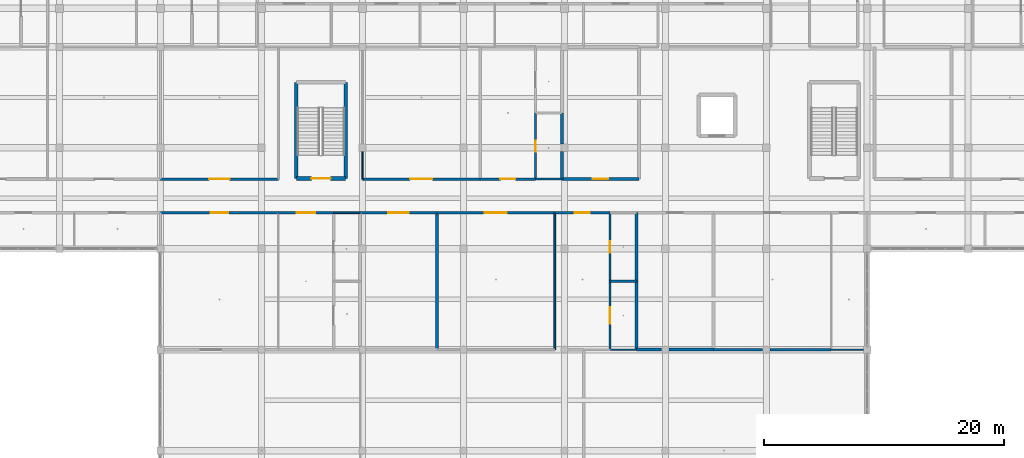
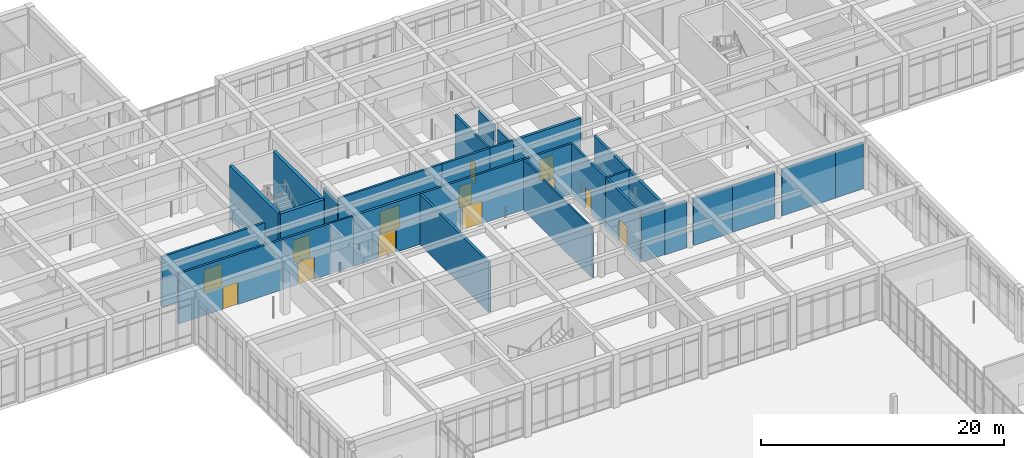
# One storey, part 85 of 157: 31 walls, 13 doors, 13 openings.
"""IFC4 building model written with IfcOpenShell, lengths in metres."""

from ifc_helpers import new_model, si_unit, direction, frame, frame_2d, origin, place, context, subcontext, project, spatial, rectangle, extrude, material, layer, layer_set, type_object, element, fill, save


model = new_model("IFC4")

# Units and contexts
model_context = context("Model", 3, precision=1e-05, world=origin(), true_north=direction((0.0, 1.0)))
body_context = subcontext(model_context, "Body", "Model", "MODEL_VIEW")
ifc_project = project(units=[si_unit("LENGTHUNIT", "METRE"), si_unit("AREAUNIT", "SQUARE_METRE"), si_unit("VOLUMEUNIT", "CUBIC_METRE"), si_unit("PLANEANGLEUNIT", "RADIAN"), si_unit("MASSUNIT", "GRAM", prefix="KILO")], contexts=[model_context])

# Site, building, storey
site_placement = place(None, origin())
site = spatial("IfcSite", under=ifc_project, at=site_placement, CompositionType="ELEMENT")
building_placement = place(site_placement, origin())
building = spatial("IfcBuilding", under=site, at=building_placement, Name="Varncliffe General Hospital", CompositionType="ELEMENT")
storey_placement = place(building_placement, frame((0.0, 0.0, 5.39990234375)))
storey = spatial("IfcBuildingStorey", under=building, at=storey_placement, Name="L01", CompositionType="ELEMENT", Elevation=5.39990234375)

# Walls
ifc_material_1 = material(Name="Acoustic clinical gypsum stud partition assembly", Category="gypsum")
ifc_layer_1 = layer(ifc_material_1, 0.169921875)
ifc_layer_set_1 = layer_set([ifc_layer_1], Name="Acoustic clinical gypsum stud partition assembly")
wall_type_1 = type_object("IfcWallType", Name="Interior Partitioning IW20 (170mm)", PredefinedType="PARTITIONING", material=ifc_layer_set_1)
wall_1_placement = place(storey_placement, frame((109.514892578125, 74.39990234375, 0.0), z_axis=(0.0, 0.0, 1.0), x_axis=(1.0, 0.0, 0.0)))
element("IfcWall", 1, at=wall_1_placement, inside=storey, type_object=wall_type_1, Name="L01 Interior Partition Wall IW20-495", PredefinedType="PARTITIONING", context=body_context, shape_type="SweptSolid", body=[
    extrude(rectangle(XDim=5.085205078125, YDim=0.169921875, at=frame_2d((2.54248046875, 0.0))), origin(), (0.0, 0.0, 1.0), 4.68505859375),
])
wall_2_placement = place(storey_placement, frame((104.800048828125, 74.39990234375, 0.0), z_axis=(0.0, 0.0, 1.0), x_axis=(1.0, 0.0, 0.0)))
element("IfcWall", 2, at=wall_2_placement, inside=storey, type_object=wall_type_1, Name="L01 Interior Partition Wall IW20-496", PredefinedType="PARTITIONING", context=body_context, shape_type="SweptSolid", body=[
    extrude(rectangle(XDim=4.0849609375, YDim=0.169921875, at=frame_2d((2.04248046875, 0.0))), origin(), (0.0, 0.0, 1.0), 4.68505859375),
])
ifc_layer_2 = layer(ifc_material_1, 0.14990234375)
ifc_layer_set_2 = layer_set([ifc_layer_2], Name="Acoustic clinical gypsum stud partition assembly")
wall_type_2 = type_object("IfcWallType", Name="Interior Partitioning IW35 (150mm)", PredefinedType="PARTITIONING", material=ifc_layer_set_2)
wall_3_placement = place(storey_placement, frame((91.60009765625, 74.39990234375, 0.0), z_axis=(0.0, 0.0, 1.0), x_axis=(0.0, 1.0, 0.0)))
element("IfcWall", 3, at=wall_3_placement, inside=storey, type_object=wall_type_2, Name="L01 Interior Partition Wall IW35-779", PredefinedType="PARTITIONING", context=body_context, shape_type="SweptSolid", body=[
    extrude(rectangle(XDim=11.400146484375, YDim=0.14990234375, at=frame_2d((5.7001953125, 0.0))), origin(), (0.0, 0.0, 1.0), 5.050048828125),
])
ifc_layer_3 = layer(ifc_material_1, 0.090087890625)
ifc_layer_set_3 = layer_set([ifc_layer_3], Name="Acoustic clinical gypsum stud partition assembly")
wall_type_3 = type_object("IfcWallType", Name="Interior Partitioning IW42 (90mm)", PredefinedType="PARTITIONING", material=ifc_layer_set_3)
wall_4_placement = place(storey_placement, frame((75.60009765625, 88.60009765625, 0.0), z_axis=(0.0, 0.0, 1.0), x_axis=(0.0, 1.0, 0.0)))
element("IfcWall", 4, at=wall_4_placement, inside=storey, type_object=wall_type_3, Name="L01 Interior Partition Wall IW42-772", PredefinedType="PARTITIONING", context=body_context, shape_type="SweptSolid", body=[
    extrude(rectangle(XDim=2.284912109375, YDim=0.090087890625, at=frame_2d((1.142578125, 0.0))), origin(), (0.0, 0.0, 1.0), 4.735107421875),
])
ifc_layer_4 = layer(ifc_material_1, 0.110107421875)
ifc_layer_set_4 = layer_set([ifc_layer_4], Name="Acoustic clinical gypsum stud partition assembly")
wall_type_4 = type_object("IfcWallType", Name="Interior Partitioning IW65 (110mm)", PredefinedType="PARTITIONING", material=ifc_layer_set_4)
wall_5_placement = place(storey_placement, frame((96.199951171875, 74.39990234375, 0.0), z_axis=(0.0, 0.0, 1.0), x_axis=(1.0, 0.0, 0.0)))
element("IfcWall", 5, at=wall_5_placement, inside=storey, type_object=wall_type_4, Name="L01 Interior Partition Wall IW65-492", PredefinedType="PARTITIONING", context=body_context, shape_type="SweptSolid", body=[
    extrude(rectangle(XDim=2.199951171875, YDim=0.110107421875, at=frame_2d((1.10009765625, 0.0))), origin(), (0.0, 0.0, 1.0), 4.68505859375),
])
wall_6_placement = place(storey_placement, frame((114.60009765625, 74.39990234375, 0.0), z_axis=(0.0, 0.0, 1.0), x_axis=(1.0, 0.0, 0.0)))
element("IfcWall", 6, at=wall_6_placement, inside=storey, type_object=wall_type_4, Name="L01 Interior Partition Wall IW65-497", PredefinedType="PARTITIONING", context=body_context, shape_type="SweptSolid", body=[
    extrude(rectangle(XDim=2.684814453125, YDim=0.110107421875, at=frame_2d((1.34228515625, 0.0))), origin(), (0.0, 0.0, 1.0), 4.68505859375),
])
ifc_material_2 = material(Name="Fire-rated gypsum and mineral-wool partition assembly", Category="gypsum")
ifc_layer_5 = layer(ifc_material_2, 0.25)
ifc_layer_set_5 = layer_set([ifc_layer_5], Name="Fire-rated gypsum and mineral-wool partition assembly")
wall_type_5 = type_object("IfcWallType", Name="Interior Partitioning PW38 (250mm)", PredefinedType="PARTITIONING", material=ifc_layer_set_5)
wall_7_placement = place(storey_placement, frame((101.114990234375, 74.39990234375, 0.0), z_axis=(0.0, 0.0, 1.0), x_axis=(1.0, 0.0, 0.0)))
element("IfcWall", 7, at=wall_7_placement, inside=storey, type_object=wall_type_5, Name="L01 Interior Partition Wall PW38-493", PredefinedType="PARTITIONING", context=body_context, shape_type="SweptSolid", body=[
    extrude(rectangle(XDim=3.68505859375, YDim=0.25, at=frame_2d((1.842529296875, 0.0))), origin(), (0.0, 0.0, 1.0), 4.68505859375),
])
wall_8_placement = place(storey_placement, frame((98.39990234375, 74.39990234375, 0.0), z_axis=(0.0, 0.0, 1.0), x_axis=(1.0, 0.0, 0.0)))
element("IfcWall", 8, at=wall_8_placement, inside=storey, type_object=wall_type_5, Name="L01 Interior Partition Wall PW38-494", PredefinedType="PARTITIONING", context=body_context, shape_type="SweptSolid", body=[
    extrude(rectangle(XDim=2.085205078125, YDim=0.25, at=frame_2d((1.04248046875, 0.0))), origin(), (0.0, 0.0, 1.0), 4.68505859375),
])

# Wall, opening, door
wall_9_placement = place(storey_placement, frame((92.199951171875, 88.60009765625, 0.0), z_axis=(0.0, 0.0, 1.0), x_axis=(1.0, 0.0, 0.0)))
wall_9 = element("IfcWall", 9, at=wall_9_placement, inside=storey, type_object=wall_type_5, Name="L01 Interior Partition Wall PW38-535", PredefinedType="PARTITIONING", context=body_context, shape_type="SweptSolid", body=[
    extrude(rectangle(XDim=6.400146484375, YDim=0.25, at=frame_2d((3.2001953125, 0.0))), origin(), (0.0, 0.0, 1.0), 5.050048828125),
])
opening_1_placement = place(wall_9_placement, frame((2.550048828125, 0.0, 0.0)))
opening_1 = element("IfcOpeningElement", 10, at=opening_1_placement, cuts=wall_9, Name="Opening DC88", PredefinedType="OPENING", context=body_context, shape_type="SweptSolid", body=[
    extrude(rectangle(XDim=1.300048828125, YDim=2.199951171875, at=frame_2d((0.64990234375, 1.10009765625))), frame((0.0, 0.135009765625, 0.0), z_axis=(0.0, -1.0, 0.0), x_axis=(1.0, 0.0, 0.0)), (0.0, 0.0, 1.0), 0.27001953125),
])
ifc_material_3 = material(Name="Fire-rated hospital steel-frame vision-panel door", Category="steel")
door_type_1 = type_object("IfcDoorType", Name="Interior Hospital Door DC88 (1300x2200)", OperationType="NOTDEFINED", PredefinedType="DOOR", material=ifc_material_3)
door_1_placement = place(opening_1_placement, origin())
door_1 = element("IfcDoor", 11, at=door_1_placement, inside=storey, type_object=door_type_1, Name="L01 Pharmacy Cold-Chain Stockroom 98 Door", OperationType="SINGLE_SWING_RIGHT", OverallHeight=2.199951171875, OverallWidth=1.300048828125, PredefinedType="DOOR", context=body_context, shape_type="SweptSolid", body=[
    extrude(rectangle(XDim=1.300048828125, YDim=2.199951171875, at=frame_2d((0.64990234375, 1.10009765625))), frame((0.0, 0.02490234375, 0.0), z_axis=(0.0, -1.0, 0.0), x_axis=(1.0, 0.0, 0.0)), (0.0, 0.0, 1.0), 0.050048828125),
])
fill(opening_1, door_1)

# Wall
wall_10_placement = place(storey_placement, frame((98.39990234375, 74.39990234375, 0.0), z_axis=(0.0, 0.0, 1.0), x_axis=(0.0, 1.0, 0.0)))
element("IfcWall", 12, at=wall_10_placement, inside=storey, type_object=wall_type_5, Name="L01 Interior Partition Wall PW38-787", PredefinedType="PARTITIONING", context=body_context, shape_type="SweptSolid", body=[
    extrude(rectangle(XDim=5.7001953125, YDim=0.25, at=frame_2d((2.85009765625, 0.0))), origin(), (0.0, 0.0, 1.0), 5.050048828125),
])

# Wall, opening, door
ifc_layer_6 = layer(ifc_material_2, 0.22998046875)
ifc_layer_set_6 = layer_set([ifc_layer_6], Name="Fire-rated gypsum and mineral-wool partition assembly")
wall_type_6 = type_object("IfcWallType", Name="Interior Partitioning PW48 (230mm)", PredefinedType="PARTITIONING", material=ifc_layer_set_6)
wall_11_placement = place(storey_placement, frame((75.39990234375, 85.800048828125, 0.0), z_axis=(0.0, 0.0, 1.0), x_axis=(1.0, 0.0, 0.0)))
wall_11 = element("IfcWall", 13, at=wall_11_placement, inside=storey, type_object=wall_type_6, Name="L01 Interior Partition Wall PW48-516", PredefinedType="PARTITIONING", context=body_context, shape_type="SweptSolid", body=[
    extrude(rectangle(XDim=6.400146484375, YDim=0.22998046875, at=frame_2d((3.2001953125, 0.0))), origin(), (0.0, 0.0, 1.0), 5.050048828125),
])
opening_2_placement = place(wall_11_placement, frame((2.35009765625, 0.0, 0.0)))
opening_2 = element("IfcOpeningElement", 14, at=opening_2_placement, cuts=wall_11, Name="Opening DC50", PredefinedType="OPENING", context=body_context, shape_type="SweptSolid", body=[
    extrude(rectangle(XDim=1.699951171875, YDim=2.300048828125, at=frame_2d((0.85009765625, 1.14990234375))), frame((0.0, 0.125, 0.0), z_axis=(0.0, -1.0, 0.0), x_axis=(1.0, 0.0, 0.0)), (0.0, 0.0, 1.0), 0.25),
])
door_type_2 = type_object("IfcDoorType", Name="Interior Hospital Door DC50 (1700x2300)", OperationType="NOTDEFINED", PredefinedType="DOOR", material=ifc_material_3)
door_2_placement = place(opening_2_placement, frame((1.699951171875, 0.0, 0.0), z_axis=(0.0, 0.0, 1.0), x_axis=(-1.0, 0.0, 0.0)))
door_2 = element("IfcDoor", 15, at=door_2_placement, inside=storey, type_object=door_type_2, Name="L01 Pharmacy Cold-Chain Stockroom 81 Door", OperationType="SINGLE_SWING_LEFT", OverallHeight=2.300048828125, OverallWidth=1.699951171875, PredefinedType="DOOR", context=body_context, shape_type="SweptSolid", body=[
    extrude(rectangle(XDim=1.699951171875, YDim=2.300048828125, at=frame_2d((0.85009765625, 1.14990234375))), frame((0.0, 0.02490234375, 0.0), z_axis=(0.0, -1.0, 0.0), x_axis=(1.0, 0.0, 0.0)), (0.0, 0.0, 1.0), 0.050048828125),
])
fill(opening_2, door_2)

# Walls
wall_12_placement = place(storey_placement, frame((81.800048828125, 74.39990234375, 0.0), z_axis=(0.0, 0.0, 1.0), x_axis=(0.0, 1.0, 0.0)))
element("IfcWall", 16, at=wall_12_placement, inside=storey, type_object=wall_type_6, Name="L01 Interior Partition Wall PW48-774", PredefinedType="PARTITIONING", context=body_context, shape_type="SweptSolid", body=[
    extrude(rectangle(XDim=11.400146484375, YDim=0.22998046875, at=frame_2d((5.7001953125, 0.0))), origin(), (0.0, 0.0, 1.0), 5.050048828125),
])
wall_13_placement = place(storey_placement, frame((92.199951171875, 91.514892578125, 0.0), z_axis=(0.0, 0.0, 1.0), x_axis=(0.0, 1.0, 0.0)))
element("IfcWall", 17, at=wall_13_placement, inside=storey, type_object=wall_type_6, Name="L01 Interior Partition Wall PW48-780", PredefinedType="PARTITIONING", context=body_context, shape_type="SweptSolid", body=[
    extrude(rectangle(XDim=2.585205078125, YDim=0.22998046875, at=frame_2d((1.29248046875, 0.0))), origin(), (0.0, 0.0, 1.0), 4.735107421875),
])
wall_14_placement = place(storey_placement, frame((92.199951171875, 88.60009765625, 0.0), z_axis=(0.0, 0.0, 1.0), x_axis=(0.0, 1.0, 0.0)))
element("IfcWall", 18, at=wall_14_placement, inside=storey, type_object=wall_type_6, Name="L01 Interior Partition Wall PW48-781", PredefinedType="PARTITIONING", context=body_context, shape_type="SweptSolid", body=[
    extrude(rectangle(XDim=2.284912109375, YDim=0.22998046875, at=frame_2d((1.142578125, 0.0))), origin(), (0.0, 0.0, 1.0), 4.735107421875),
])
wall_15_placement = place(storey_placement, frame((98.39990234375, 80.10009765625, 0.0), z_axis=(0.0, 0.0, 1.0), x_axis=(0.0, 1.0, 0.0)))
element("IfcWall", 19, at=wall_15_placement, inside=storey, type_object=wall_type_6, Name="L01 Interior Partition Wall PW48-788", PredefinedType="PARTITIONING", context=body_context, shape_type="SweptSolid", body=[
    extrude(rectangle(XDim=5.699951171875, YDim=0.22998046875, at=frame_2d((2.85009765625, 0.0))), origin(), (0.0, 0.0, 1.0), 5.050048828125),
])

# Wall, opening, door
ifc_layer_7 = layer(ifc_material_2, 0.199951171875)
ifc_layer_set_7 = layer_set([ifc_layer_7], Name="Fire-rated gypsum and mineral-wool partition assembly")
wall_type_7 = type_object("IfcWallType", Name="Interior Partitioning PW63 (200mm)", PredefinedType="PARTITIONING", material=ifc_layer_set_7)
wall_16_placement = place(storey_placement, frame((58.800048828125, 85.800048828125, 0.0), z_axis=(0.0, 0.0, 1.0), x_axis=(1.0, 0.0, 0.0)))
wall_16 = element("IfcWall", 20, at=wall_16_placement, inside=storey, type_object=wall_type_7, Name="L01 Interior Partition Wall PW63-513", PredefinedType="PARTITIONING", context=body_context, shape_type="SweptSolid", body=[
    extrude(rectangle(XDim=9.800048828125, YDim=0.199951171875, at=frame_2d((4.89990234375, 0.0))), origin(), (0.0, 0.0, 1.0), 5.050048828125),
])
opening_3_placement = place(wall_16_placement, frame((4.175048828125, 0.0, 0.0)))
opening_3 = element("IfcOpeningElement", 21, at=opening_3_placement, cuts=wall_16, Name="Opening DC66", PredefinedType="OPENING", context=body_context, shape_type="SweptSolid", body=[
    extrude(rectangle(XDim=1.449951171875, YDim=2.25, at=frame_2d((0.72509765625, 1.125))), frame((0.0, 0.10986328125, 0.0), z_axis=(0.0, -1.0, 0.0), x_axis=(1.0, 0.0, 0.0)), (0.0, 0.0, 1.0), 0.219970703125),
])
door_type_3 = type_object("IfcDoorType", Name="Interior Hospital Door DC66 (1450x2250)", OperationType="NOTDEFINED", PredefinedType="DOOR", material=ifc_material_3)
door_3_placement = place(opening_3_placement, frame((1.449951171875, 0.0, 0.0), z_axis=(0.0, 0.0, 1.0), x_axis=(-1.0, 0.0, 0.0)))
door_3 = element("IfcDoor", 22, at=door_3_placement, inside=storey, type_object=door_type_3, Name="L01 Inpatient Hospital Pharmacy Cleanroom 77 Door", OperationType="SINGLE_SWING_LEFT", OverallHeight=2.25, OverallWidth=1.449951171875, PredefinedType="DOOR", context=body_context, shape_type="SweptSolid", body=[
    extrude(rectangle(XDim=1.449951171875, YDim=2.25, at=frame_2d((0.72509765625, 1.125))), frame((0.0, 0.02490234375, 0.0), z_axis=(0.0, -1.0, 0.0), x_axis=(1.0, 0.0, 0.0)), (0.0, 0.0, 1.0), 0.050048828125),
])
fill(opening_3, door_3)

wall_17_placement = place(storey_placement, frame((68.60009765625, 85.800048828125, 0.0), z_axis=(0.0, 0.0, 1.0), x_axis=(1.0, 0.0, 0.0)))
wall_17 = element("IfcWall", 23, at=wall_17_placement, inside=storey, type_object=wall_type_7, Name="L01 Interior Partition Wall PW63-514", PredefinedType="PARTITIONING", context=body_context, shape_type="SweptSolid", body=[
    extrude(rectangle(XDim=4.599853515625, YDim=0.199951171875, at=frame_2d((2.2998046875, 0.0))), origin(), (0.0, 0.0, 1.0), 5.050048828125),
])
opening_4_placement = place(wall_17_placement, frame((1.52490234375, 0.0, 0.0)))
opening_4 = element("IfcOpeningElement", 24, at=opening_4_placement, cuts=wall_17, Name="Opening DC67", PredefinedType="OPENING", context=body_context, shape_type="SweptSolid", body=[
    extrude(rectangle(XDim=1.550048828125, YDim=2.25, at=frame_2d((0.77490234375, 1.125))), frame((0.0, 0.10986328125, 0.0), z_axis=(0.0, -1.0, 0.0), x_axis=(1.0, 0.0, 0.0)), (0.0, 0.0, 1.0), 0.219970703125),
])
door_type_4 = type_object("IfcDoorType", Name="Interior Hospital Door DC67 (1550x2250)", OperationType="NOTDEFINED", PredefinedType="DOOR", material=ifc_material_3)
door_4_placement = place(opening_4_placement, frame((1.550048828125, 0.0, 0.0), z_axis=(0.0, 0.0, 1.0), x_axis=(-1.0, 0.0, 0.0)))
door_4 = element("IfcDoor", 25, at=door_4_placement, inside=storey, type_object=door_type_4, Name="L01 Pre-Operative Patient Admission Bay 78 Door", OperationType="SINGLE_SWING_RIGHT", OverallHeight=2.25, OverallWidth=1.550048828125, PredefinedType="DOOR", context=body_context, shape_type="SweptSolid", body=[
    extrude(rectangle(XDim=1.550048828125, YDim=2.25, at=frame_2d((0.77490234375, 1.125))), frame((0.0, 0.02490234375, 0.0), z_axis=(0.0, -1.0, 0.0), x_axis=(1.0, 0.0, 0.0)), (0.0, 0.0, 1.0), 0.050048828125),
])
fill(opening_4, door_4)

wall_18_placement = place(storey_placement, frame((81.800048828125, 85.800048828125, 0.0), z_axis=(0.0, 0.0, 1.0), x_axis=(1.0, 0.0, 0.0)))
wall_18 = element("IfcWall", 26, at=wall_18_placement, inside=storey, type_object=wall_type_7, Name="L01 Interior Partition Wall PW63-517", PredefinedType="PARTITIONING", context=body_context, shape_type="SweptSolid", body=[
    extrude(rectangle(XDim=9.800048828125, YDim=0.199951171875, at=frame_2d((4.89990234375, 0.0))), origin(), (0.0, 0.0, 1.0), 5.050048828125),
])
opening_5_placement = place(wall_18_placement, frame((3.97509765625, 0.0, 0.0)))
opening_5 = element("IfcOpeningElement", 27, at=opening_5_placement, cuts=wall_18, Name="Opening DC38", PredefinedType="OPENING", context=body_context, shape_type="SweptSolid", body=[
    extrude(rectangle(XDim=1.85009765625, YDim=2.300048828125, at=frame_2d((0.925048828125, 1.14990234375))), frame((0.0, 0.10986328125, 0.0), z_axis=(0.0, -1.0, 0.0), x_axis=(1.0, 0.0, 0.0)), (0.0, 0.0, 1.0), 0.219970703125),
])
door_type_5 = type_object("IfcDoorType", Name="Interior Hospital Door DC38 (1850x2300)", OperationType="NOTDEFINED", PredefinedType="DOOR", material=ifc_material_3)
door_5_placement = place(opening_5_placement, frame((1.85009765625, 0.0, 0.0), z_axis=(0.0, 0.0, 1.0), x_axis=(-1.0, 0.0, 0.0)))
door_5 = element("IfcDoor", 28, at=door_5_placement, inside=storey, type_object=door_type_5, Name="L01 Inpatient Hospital Pharmacy Cleanroom 82 Door", OperationType="SINGLE_SWING_RIGHT", OverallHeight=2.300048828125, OverallWidth=1.85009765625, PredefinedType="DOOR", context=body_context, shape_type="SweptSolid", body=[
    extrude(rectangle(XDim=1.85009765625, YDim=2.300048828125, at=frame_2d((0.925048828125, 1.14990234375))), frame((0.0, 0.02490234375, 0.0), z_axis=(0.0, -1.0, 0.0), x_axis=(1.0, 0.0, 0.0)), (0.0, 0.0, 1.0), 0.050048828125),
])
fill(opening_5, door_5)

wall_19_placement = place(storey_placement, frame((91.60009765625, 85.800048828125, 0.0), z_axis=(0.0, 0.0, 1.0), x_axis=(1.0, 0.0, 0.0)))
wall_19 = element("IfcWall", 29, at=wall_19_placement, inside=storey, type_object=wall_type_7, Name="L01 Interior Partition Wall PW63-518", PredefinedType="PARTITIONING", context=body_context, shape_type="SweptSolid", body=[
    extrude(rectangle(XDim=4.599853515625, YDim=0.199951171875, at=frame_2d((2.2998046875, 0.0))), origin(), (0.0, 0.0, 1.0), 5.050048828125),
])
opening_6_placement = place(wall_19_placement, frame((1.675048828125, 0.0, 0.0)))
opening_6 = element("IfcOpeningElement", 30, at=opening_6_placement, cuts=wall_19, Name="Opening DC44", PredefinedType="OPENING", context=body_context, shape_type="SweptSolid", body=[
    extrude(rectangle(XDim=1.25, YDim=2.14990234375, at=frame_2d((0.625, 1.074951171875))), frame((0.0, 0.10986328125, 0.0), z_axis=(0.0, -1.0, 0.0), x_axis=(1.0, 0.0, 0.0)), (0.0, 0.0, 1.0), 0.219970703125),
])
door_type_6 = type_object("IfcDoorType", Name="Interior Hospital Door DC44 (1250x2150)", OperationType="NOTDEFINED", PredefinedType="DOOR", material=ifc_material_3)
door_6_placement = place(opening_6_placement, frame((1.25, 0.0, 0.0), z_axis=(0.0, 0.0, 1.0), x_axis=(-1.0, 0.0, 0.0)))
door_6 = element("IfcDoor", 31, at=door_6_placement, inside=storey, type_object=door_type_6, Name="L01 Pre-Operative Patient Admission Bay 83 Door", OperationType="SINGLE_SWING_LEFT", OverallHeight=2.14990234375, OverallWidth=1.25, PredefinedType="DOOR", context=body_context, shape_type="SweptSolid", body=[
    extrude(rectangle(XDim=1.25, YDim=2.14990234375, at=frame_2d((0.625, 1.074951171875))), frame((0.0, 0.02490234375, 0.0), z_axis=(0.0, -1.0, 0.0), x_axis=(1.0, 0.0, 0.0)), (0.0, 0.0, 1.0), 0.050048828125),
])
fill(opening_6, door_6)

wall_20_placement = place(storey_placement, frame((58.800048828125, 88.60009765625, 0.0), z_axis=(0.0, 0.0, 1.0), x_axis=(1.0, 0.0, 0.0)))
wall_20 = element("IfcWall", 32, at=wall_20_placement, inside=storey, type_object=wall_type_7, Name="L01 Interior Partition Wall PW63-531", PredefinedType="PARTITIONING", context=body_context, shape_type="SweptSolid", body=[
    extrude(rectangle(XDim=9.800048828125, YDim=0.199951171875, at=frame_2d((4.89990234375, 0.0))), origin(), (0.0, 0.0, 1.0), 5.050048828125),
])
opening_7_placement = place(wall_20_placement, frame((4.050048828125, 0.0, 0.0)))
opening_7 = element("IfcOpeningElement", 33, at=opening_7_placement, cuts=wall_20, Name="Opening DC50", PredefinedType="OPENING", context=body_context, shape_type="SweptSolid", body=[
    extrude(rectangle(XDim=1.699951171875, YDim=2.300048828125, at=frame_2d((0.85009765625, 1.14990234375))), frame((0.0, 0.10986328125, 0.0), z_axis=(0.0, -1.0, 0.0), x_axis=(1.0, 0.0, 0.0)), (0.0, 0.0, 1.0), 0.219970703125),
])
door_7_placement = place(opening_7_placement, origin())
door_7 = element("IfcDoor", 34, at=door_7_placement, inside=storey, type_object=door_type_2, Name="L01 Inpatient Hospital Pharmacy Cleanroom 93 Door", OperationType="SINGLE_SWING_LEFT", OverallHeight=2.300048828125, OverallWidth=1.699951171875, PredefinedType="DOOR", context=body_context, shape_type="SweptSolid", body=[
    extrude(rectangle(XDim=1.699951171875, YDim=2.300048828125, at=frame_2d((0.85009765625, 1.14990234375))), frame((0.0, 0.02490234375, 0.0), z_axis=(0.0, -1.0, 0.0), x_axis=(1.0, 0.0, 0.0)), (0.0, 0.0, 1.0), 0.050048828125),
])
fill(opening_7, door_7)

wall_21_placement = place(storey_placement, frame((75.60009765625, 88.60009765625, 0.0), z_axis=(0.0, 0.0, 1.0), x_axis=(1.0, 0.0, 0.0)))
wall_21 = element("IfcWall", 35, at=wall_21_placement, inside=storey, type_object=wall_type_7, Name="L01 Interior Partition Wall PW63-532", PredefinedType="PARTITIONING", context=body_context, shape_type="SweptSolid", body=[
    extrude(rectangle(XDim=9.7998046875, YDim=0.199951171875, at=frame_2d((4.89990234375, 0.0))), origin(), (0.0, 0.0, 1.0), 5.050048828125),
])
opening_8_placement = place(wall_21_placement, frame((3.97509765625, 0.0, 0.0)))
opening_8 = element("IfcOpeningElement", 36, at=opening_8_placement, cuts=wall_21, Name="Opening DC38", PredefinedType="OPENING", context=body_context, shape_type="SweptSolid", body=[
    extrude(rectangle(XDim=1.85009765625, YDim=2.300048828125, at=frame_2d((0.925048828125, 1.14990234375))), frame((0.0, 0.10986328125, 0.0), z_axis=(0.0, -1.0, 0.0), x_axis=(1.0, 0.0, 0.0)), (0.0, 0.0, 1.0), 0.219970703125),
])
door_8_placement = place(opening_8_placement, origin())
door_8 = element("IfcDoor", 37, at=door_8_placement, inside=storey, type_object=door_type_5, Name="L01 Inpatient Hospital Pharmacy Cleanroom 94 Door", OperationType="SINGLE_SWING_RIGHT", OverallHeight=2.300048828125, OverallWidth=1.85009765625, PredefinedType="DOOR", context=body_context, shape_type="SweptSolid", body=[
    extrude(rectangle(XDim=1.85009765625, YDim=2.300048828125, at=frame_2d((0.925048828125, 1.14990234375))), frame((0.0, 0.02490234375, 0.0), z_axis=(0.0, -1.0, 0.0), x_axis=(1.0, 0.0, 0.0)), (0.0, 0.0, 1.0), 0.050048828125),
])
fill(opening_8, door_8)

wall_22_placement = place(storey_placement, frame((85.39990234375, 88.60009765625, 0.0), z_axis=(0.0, 0.0, 1.0), x_axis=(1.0, 0.0, 0.0)))
wall_22 = element("IfcWall", 38, at=wall_22_placement, inside=storey, type_object=wall_type_7, Name="L01 Interior Partition Wall PW63-533", PredefinedType="PARTITIONING", context=body_context, shape_type="SweptSolid", body=[
    extrude(rectangle(XDim=4.60009765625, YDim=0.199951171875, at=frame_2d((2.300048828125, 0.0))), origin(), (0.0, 0.0, 1.0), 5.050048828125),
])
opening_9_placement = place(wall_22_placement, frame((1.675048828125, 0.0, 0.0)))
opening_9 = element("IfcOpeningElement", 39, at=opening_9_placement, cuts=wall_22, Name="Opening DC44", PredefinedType="OPENING", context=body_context, shape_type="SweptSolid", body=[
    extrude(rectangle(XDim=1.25, YDim=2.14990234375, at=frame_2d((0.625, 1.074951171875))), frame((0.0, 0.10986328125, 0.0), z_axis=(0.0, -1.0, 0.0), x_axis=(1.0, 0.0, 0.0)), (0.0, 0.0, 1.0), 0.219970703125),
])
door_9_placement = place(opening_9_placement, origin())
door_9 = element("IfcDoor", 40, at=door_9_placement, inside=storey, type_object=door_type_6, Name="L01 Pre-Operative Patient Admission Bay 95 Door", OperationType="SINGLE_SWING_LEFT", OverallHeight=2.14990234375, OverallWidth=1.25, PredefinedType="DOOR", context=body_context, shape_type="SweptSolid", body=[
    extrude(rectangle(XDim=1.25, YDim=2.14990234375, at=frame_2d((0.625, 1.074951171875))), frame((0.0, 0.02490234375, 0.0), z_axis=(0.0, -1.0, 0.0), x_axis=(1.0, 0.0, 0.0)), (0.0, 0.0, 1.0), 0.050048828125),
])
fill(opening_9, door_9)

wall_23_placement = place(storey_placement, frame((90.0, 88.60009765625, 0.0), z_axis=(0.0, 0.0, 1.0), x_axis=(0.0, 1.0, 0.0)))
wall_23 = element("IfcWall", 41, at=wall_23_placement, inside=storey, type_object=wall_type_7, Name="L01 Interior Partition Wall PW63-777", PredefinedType="PARTITIONING", context=body_context, shape_type="SweptSolid", body=[
    extrude(rectangle(XDim=5.5, YDim=0.199951171875, at=frame_2d((2.75, 0.0))), origin(), (0.0, 0.0, 1.0), 5.050048828125),
])
opening_10_placement = place(wall_23_placement, frame((2.2900390625, 0.0, 0.0)))
opening_10 = element("IfcOpeningElement", 42, at=opening_10_placement, cuts=wall_23, Name="Opening DI70", PredefinedType="OPENING", context=body_context, shape_type="SweptSolid", body=[
    extrude(rectangle(XDim=0.919921875, YDim=2.10009765625, at=frame_2d((0.4599609375, 1.050048828125))), frame((0.0, 0.10986328125, 0.0), z_axis=(0.0, -1.0, 0.0), x_axis=(1.0, 0.0, 0.0)), (0.0, 0.0, 1.0), 0.219970703125),
])
ifc_material_4 = material(Name="Solid-core antimicrobial hospital oak veneer door", Category="wood")
door_type_7 = type_object("IfcDoorType", Name="Interior Hospital Door DI70 (920x2100)", OperationType="NOTDEFINED", PredefinedType="DOOR", material=ifc_material_4)
door_10_placement = place(opening_10_placement, frame((0.919921875, 0.0, 0.0), z_axis=(0.0, 0.0, 1.0), x_axis=(-1.0, 0.0, 0.0)))
door_10 = element("IfcDoor", 43, at=door_10_placement, inside=storey, type_object=door_type_7, Name="L01 En-Suite Bathroom 96 Door", OperationType="SINGLE_SWING_LEFT", OverallHeight=2.10009765625, OverallWidth=0.919921875, PredefinedType="DOOR", context=body_context, shape_type="SweptSolid", body=[
    extrude(rectangle(XDim=0.919921875, YDim=2.10009765625, at=frame_2d((0.4599609375, 1.050048828125))), frame((0.0, 0.02490234375, 0.0), z_axis=(0.0, -1.0, 0.0), x_axis=(1.0, 0.0, 0.0)), (0.0, 0.0, 1.0), 0.050048828125),
])
fill(opening_10, door_10)

wall_24_placement = place(storey_placement, frame((96.199951171875, 74.39990234375, 0.0), z_axis=(0.0, 0.0, 1.0), x_axis=(0.0, 1.0, 0.0)))
wall_24 = element("IfcWall", 44, at=wall_24_placement, inside=storey, type_object=wall_type_7, Name="L01 Interior Partition Wall PW63-785", PredefinedType="PARTITIONING", context=body_context, shape_type="SweptSolid", body=[
    extrude(rectangle(XDim=5.7001953125, YDim=0.199951171875, at=frame_2d((2.85009765625, 0.0))), origin(), (0.0, 0.0, 1.0), 5.050048828125),
])
opening_11_placement = place(wall_24_placement, frame((2.175048828125, 0.0, 0.0)))
opening_11 = element("IfcOpeningElement", 45, at=opening_11_placement, cuts=wall_24, Name="Opening DC85", PredefinedType="OPENING", context=body_context, shape_type="SweptSolid", body=[
    extrude(rectangle(XDim=1.35009765625, YDim=2.199951171875, at=frame_2d((0.675048828125, 1.10009765625))), frame((0.0, 0.10986328125, 0.0), z_axis=(0.0, -1.0, 0.0), x_axis=(1.0, 0.0, 0.0)), (0.0, 0.0, 1.0), 0.219970703125),
])
door_type_8 = type_object("IfcDoorType", Name="Interior Hospital Door DC85 (1350x2200)", OperationType="NOTDEFINED", PredefinedType="DOOR", material=ifc_material_3)
door_11_placement = place(opening_11_placement, frame((1.35009765625, 0.0, 0.0), z_axis=(0.0, 0.0, 1.0), x_axis=(-1.0, 0.0, 0.0)))
door_11 = element("IfcDoor", 46, at=door_11_placement, inside=storey, type_object=door_type_8, Name="L01 Patient Medication and Hygiene Bay 85 Door", OperationType="SINGLE_SWING_RIGHT", OverallHeight=2.199951171875, OverallWidth=1.35009765625, PredefinedType="DOOR", context=body_context, shape_type="SweptSolid", body=[
    extrude(rectangle(XDim=1.35009765625, YDim=2.199951171875, at=frame_2d((0.675048828125, 1.10009765625))), frame((0.0, 0.02490234375, 0.0), z_axis=(0.0, -1.0, 0.0), x_axis=(1.0, 0.0, 0.0)), (0.0, 0.0, 1.0), 0.050048828125),
])
fill(opening_11, door_11)

wall_25_placement = place(storey_placement, frame((96.199951171875, 80.10009765625, 0.0), z_axis=(0.0, 0.0, 1.0), x_axis=(0.0, 1.0, 0.0)))
wall_25 = element("IfcWall", 47, at=wall_25_placement, inside=storey, type_object=wall_type_7, Name="L01 Interior Partition Wall PW63-786", PredefinedType="PARTITIONING", context=body_context, shape_type="SweptSolid", body=[
    extrude(rectangle(XDim=5.699951171875, YDim=0.199951171875, at=frame_2d((2.85009765625, 0.0))), origin(), (0.0, 0.0, 1.0), 5.050048828125),
])
opening_12_placement = place(wall_25_placement, frame((2.389892578125, 0.0, 0.0)))
opening_12 = element("IfcOpeningElement", 48, at=opening_12_placement, cuts=wall_25, Name="Opening DI70", PredefinedType="OPENING", context=body_context, shape_type="SweptSolid", body=[
    extrude(rectangle(XDim=0.919921875, YDim=2.10009765625, at=frame_2d((0.4599609375, 1.050048828125))), frame((0.0, 0.10986328125, 0.0), z_axis=(0.0, -1.0, 0.0), x_axis=(1.0, 0.0, 0.0)), (0.0, 0.0, 1.0), 0.219970703125),
])
door_12_placement = place(opening_12_placement, frame((0.919921875, 0.0, 0.0), z_axis=(0.0, 0.0, 1.0), x_axis=(-1.0, 0.0, 0.0)))
door_12 = element("IfcDoor", 49, at=door_12_placement, inside=storey, type_object=door_type_7, Name="L01 En-Suite Bathroom 84 Door", OperationType="SINGLE_SWING_LEFT", OverallHeight=2.10009765625, OverallWidth=0.919921875, PredefinedType="DOOR", context=body_context, shape_type="SweptSolid", body=[
    extrude(rectangle(XDim=0.919921875, YDim=2.10009765625, at=frame_2d((0.4599609375, 1.050048828125))), frame((0.0, 0.02490234375, 0.0), z_axis=(0.0, -1.0, 0.0), x_axis=(1.0, 0.0, 0.0)), (0.0, 0.0, 1.0), 0.050048828125),
])
fill(opening_12, door_12)

# Walls
ifc_material_5 = material(Name="Moisture-resistant plumbing chase wall assembly", Category="gypsum")
ifc_layer_8 = layer(ifc_material_5, 0.18994140625)
ifc_layer_set_8 = layer_set([ifc_layer_8], Name="Moisture-resistant plumbing chase wall assembly")
wall_type_8 = type_object("IfcWallType", Name="Interior Plumbingwall MW17 (190mm)", PredefinedType="PLUMBINGWALL", material=ifc_layer_set_8)
for number, where, z_axis, x_axis, name in (
    (50, (96.199951171875, 80.10009765625, 0.0), (0.0, 0.0, 1.0), (1.0, 0.0, 0.0), "L01 Interior Plumbing Wall MW17-502"),
    (51, (90.0, 88.60009765625, 0.0), (0.0, 0.0, 1.0), (1.0, 0.0, 0.0), "L01 Interior Plumbing Wall MW17-534"),
):
    element("IfcWall", number, at=place(storey_placement, frame(where, z_axis=z_axis, x_axis=x_axis)), inside=storey, type_object=wall_type_8, Name=name, PredefinedType="PLUMBINGWALL", context=body_context, shape_type="SweptSolid", body=[
        extrude(rectangle(XDim=2.199951171875, YDim=0.18994140625, at=frame_2d((1.10009765625, 0.0))), origin(), (0.0, 0.0, 1.0), 5.050048828125),
    ])
ifc_layer_9 = layer(ifc_material_5, 0.159912109375)
ifc_layer_set_9 = layer_set([ifc_layer_9], Name="Moisture-resistant plumbing chase wall assembly")
wall_type_9 = type_object("IfcWallType", Name="Interior Plumbingwall MW31 (160mm)", PredefinedType="PLUMBINGWALL", material=ifc_layer_set_9)
wall_26_placement = place(storey_placement, frame((73.199951171875, 85.800048828125, 0.0), z_axis=(0.0, 0.0, 1.0), x_axis=(1.0, 0.0, 0.0)))
element("IfcWall", 52, at=wall_26_placement, inside=storey, type_object=wall_type_9, Name="L01 Interior Plumbing Wall MW31-515", PredefinedType="PLUMBINGWALL", context=body_context, shape_type="SweptSolid", body=[
    extrude(rectangle(XDim=2.199951171875, YDim=0.159912109375, at=frame_2d((1.10009765625, 0.0))), origin(), (0.0, 0.0, 1.0), 5.050048828125),
])
ifc_material_6 = material(Name="Concrete C40/50 (CSA A23.1 40 MPa)", Category="concrete")
ifc_layer_10 = layer(ifc_material_6, 0.300048828125)
ifc_layer_set_10 = layer_set([ifc_layer_10], Name="Concrete C40/50 (CSA A23.1 40 MPa)")
wall_type_10 = type_object("IfcWallType", Name="Reinforced Concrete Core Shear Wall CW12 (300mm)", PredefinedType="SHEAR", material=ifc_layer_set_10)
for number, where, z_axis, x_axis, name in (
    (53, (74.199951171875, 88.64990234375, 0.0), (0.0, 0.0, 1.0), (0.0, 1.0, 0.0), "L01 ST12 Core Shear Wall L"),
    (54, (70.10009765625, 96.64990234375, 0.0), (0.0, 0.0, 1.0), (0.0, -1.0, 0.0), "L01 ST12 Core Shear Wall R"),
):
    element("IfcWall", number, at=place(storey_placement, frame(where, z_axis=z_axis, x_axis=x_axis)), inside=storey, type_object=wall_type_10, Name=name, PredefinedType="SHEAR", context=body_context, shape_type="SweptSolid", body=[
        extrude(rectangle(XDim=8.0, YDim=0.300048828125, at=frame_2d((4.0, 0.0))), origin(), (0.0, 0.0, 1.0), 5.400146484375),
    ])

# Wall, opening, door
wall_27_placement = place(storey_placement, frame((70.10009765625, 88.64990234375, 0.0), z_axis=(0.0, 0.0, 1.0), x_axis=(1.0, 0.0, 0.0)))
wall_27 = element("IfcWall", 55, at=wall_27_placement, inside=storey, type_object=wall_type_10, Name="L01 ST12 Core Shear Wall N", PredefinedType="SHEAR", context=body_context, shape_type="SweptSolid", body=[
    extrude(rectangle(XDim=4.099853515625, YDim=0.300048828125, at=frame_2d((2.0498046875, 0.0))), origin(), (0.0, 0.0, 1.0), 5.400146484375),
])
opening_13_placement = place(wall_27_placement, frame((1.25, 0.0, 0.0)))
opening_13 = element("IfcOpeningElement", 56, at=opening_13_placement, cuts=wall_27, Name="Opening DF27", PredefinedType="OPENING", context=body_context, shape_type="SweptSolid", body=[
    extrude(rectangle(XDim=1.60009765625, YDim=2.25, at=frame_2d((0.800048828125, 1.125))), frame((0.0, 0.16015625, 0.0), z_axis=(0.0, -1.0, 0.0), x_axis=(1.0, 0.0, 0.0)), (0.0, 0.0, 1.0), 0.320068359375),
])
door_type_9 = type_object("IfcDoorType", Name="Interior Hospital Door DF27 (1600x2250)", OperationType="NOTDEFINED", PredefinedType="DOOR", material=ifc_material_3)
door_13_placement = place(opening_13_placement, frame((1.60009765625, 0.0, 0.0), z_axis=(0.0, 0.0, 1.0), x_axis=(-1.0, 0.0, 0.0)))
door_13 = element("IfcDoor", 57, at=door_13_placement, inside=storey, type_object=door_type_9, Name="L01 ST12 Protected Exit Stair Door", OperationType="SINGLE_SWING_RIGHT", OverallHeight=2.25, OverallWidth=1.60009765625, PredefinedType="DOOR", context=body_context, shape_type="SweptSolid", body=[
    extrude(rectangle(XDim=1.60009765625, YDim=2.25, at=frame_2d((0.800048828125, 1.125))), frame((0.0, 0.02490234375, 0.0), z_axis=(0.0, -1.0, 0.0), x_axis=(1.0, 0.0, 0.0)), (0.0, 0.0, 1.0), 0.050048828125),
])
fill(opening_13, door_13)

save(model, "model.ifc")
